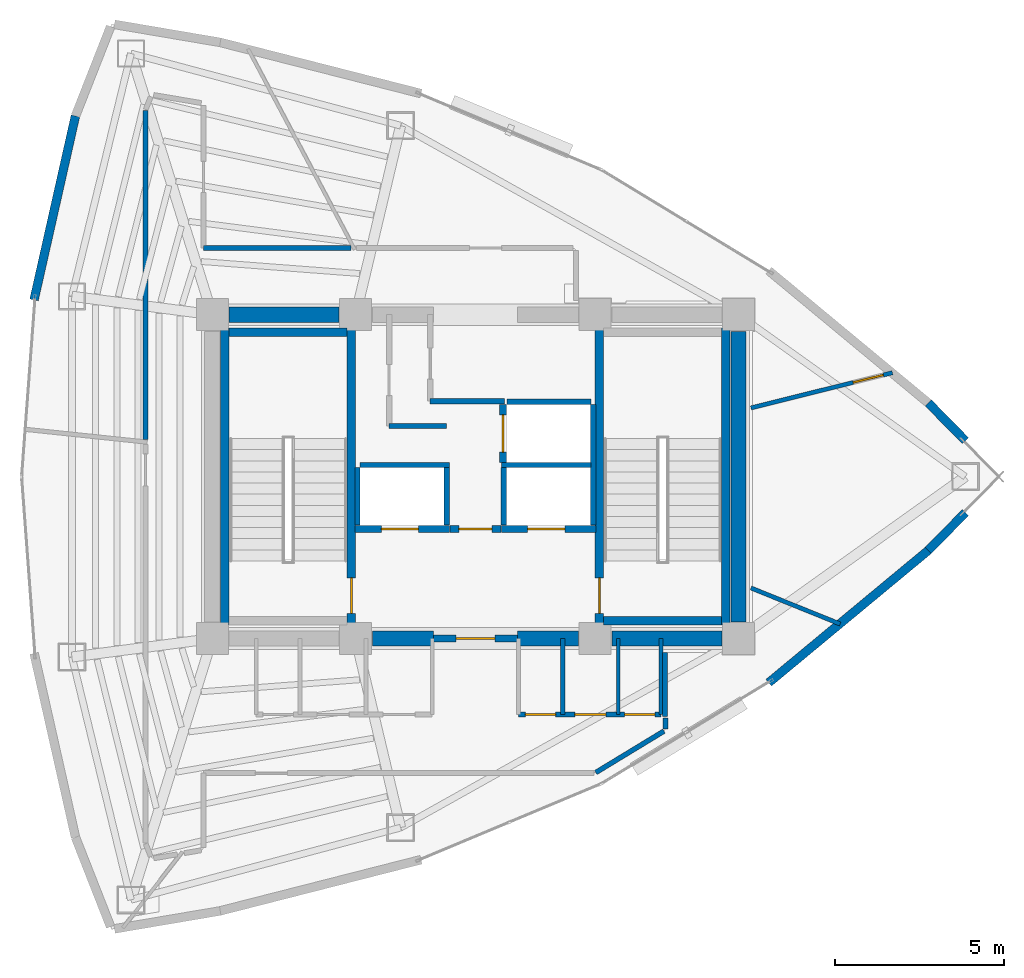
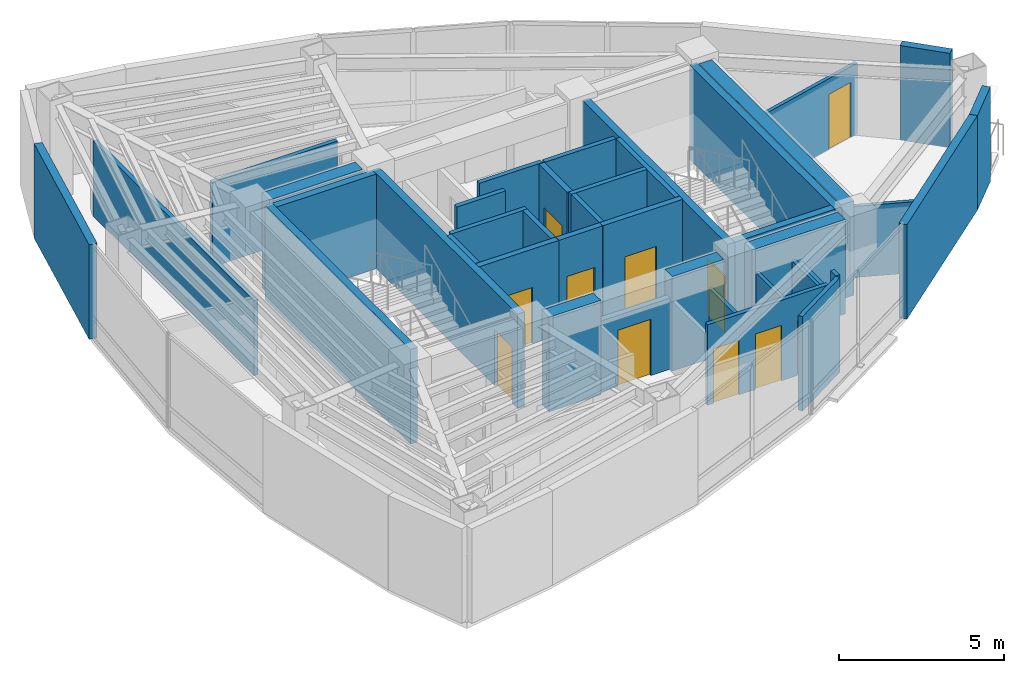
# One storey, part 12 of 15: 40 walls, 11 doors, 11 openings.
"""IFC4 building model written with IfcOpenShell, lengths in metres."""

import ifcopenshell
import ifcopenshell.guid

model = None  # the IFC model being written
_history = None  # IfcOwnerHistory: only IFC2X3 demands one
_inside = {}  # id of a spatial element -> (the spatial element, [elements in it])
_under = {}  # id of a project, library or spatial element -> (it, [spatial elements below it])
_declared = {}  # id of a project -> (the project, [libraries it declares])
_typed = {}  # id of a type object -> (the type object, [elements of that type])
_made_of = {}  # id of a material, layer set ... -> (it, [elements and type objects made of it])


def new_model(schema):
    """Start an empty IFC model of exactly this schema.

    Asked for "IFC4X3", IfcOpenShell would pick the latest addendum, in which some entities
    have other attributes; the version numbers below select the first issue.
    IFC2X3 requires an IfcOwnerHistory on every rooted entity: one is made here for all.
    """
    global model, _history
    if schema == "IFC4X3":
        model = ifcopenshell.file(schema_version=(4, 3, 0, 0))
    else:
        model = ifcopenshell.file(schema=schema)
    _inside.clear()
    _under.clear()
    _declared.clear()
    _typed.clear()
    _made_of.clear()
    _history = None
    if model.schema == "IFC2X3":
        org = make("IfcOrganization", Name="unknown")
        user = make(
            "IfcPersonAndOrganization",
            ThePerson=make("IfcPerson", FamilyName="unknown"),
            TheOrganization=org,
        )
        app = make(
            "IfcApplication",
            ApplicationDeveloper=org,
            Version="unknown",
            ApplicationFullName="unknown",
            ApplicationIdentifier="unknown",
        )
        _history = make(
            "IfcOwnerHistory",
            OwningUser=user,
            OwningApplication=app,
            ChangeAction="ADDED",
            CreationDate=0,
        )
    return model


def make(cls, **values):
    """One entity of the class cls with the attributes given. An attribute that is None is left unset."""
    return model.create_entity(
        cls, **{name: value for name, value in values.items() if value is not None}
    )


def rooted(cls, **values):
    """An entity with a GlobalId (a new one), such as an element, a storey or a relation."""
    return make(cls, GlobalId=ifcopenshell.guid.new(), OwnerHistory=_history, **values)


def si_unit(unit_type, name, prefix=None):
    """IfcSIUnit, for example si_unit("LENGTHUNIT", "METRE", prefix="MILLI")."""
    return make("IfcSIUnit", UnitType=unit_type, Prefix=prefix, Name=name)


def assignment(units):
    """IfcUnitAssignment: the units of a project."""
    return None if units is None else make("IfcUnitAssignment", Units=units)


def point(xyz):
    """IfcCartesianPoint."""
    return None if xyz is None else make("IfcCartesianPoint", Coordinates=xyz)


def direction(xyz):
    """IfcDirection."""
    return None if xyz is None else make("IfcDirection", DirectionRatios=xyz)


def frame(location, z_axis=None, x_axis=None):
    """IfcAxis2Placement3D, a coordinate frame: its origin and axes. An axis left out is left unset."""
    return make(
        "IfcAxis2Placement3D",
        Location=point(location),
        Axis=direction(z_axis),
        RefDirection=direction(x_axis),
    )


def frame_2d(location, x_axis=None):
    """IfcAxis2Placement2D, a coordinate frame in the plane: its origin and x axis."""
    return make(
        "IfcAxis2Placement2D", Location=point(location), RefDirection=direction(x_axis)
    )


def origin():
    """The frame at (0, 0, 0) with its axes left unset."""
    return frame((0.0, 0.0, 0.0))


def place(relative_to, where):
    """IfcLocalPlacement: puts the frame where relative to a parent placement (None: the world)."""
    return make(
        "IfcLocalPlacement", PlacementRelTo=relative_to, RelativePlacement=where
    )


def context(
    kind, dimensions, precision=None, world=None, true_north=None, identifier=None
):
    """IfcGeometricRepresentationContext, for example the 3D "Model" context."""
    return make(
        "IfcGeometricRepresentationContext",
        ContextIdentifier=identifier,
        ContextType=kind,
        CoordinateSpaceDimension=dimensions,
        Precision=precision,
        WorldCoordinateSystem=world,
        TrueNorth=true_north,
    )


def subcontext(parent, identifier, kind, view, scale=None):
    """IfcGeometricRepresentationSubContext, for example "Body" below "Model"."""
    return make(
        "IfcGeometricRepresentationSubContext",
        ContextIdentifier=identifier,
        ContextType=kind,
        ParentContext=parent,
        TargetScale=scale,
        TargetView=view,
    )


def project(units=None, contexts=None):
    """IfcProject with its units and contexts."""
    return rooted(
        "IfcProject",
        Name="project",
        RepresentationContexts=contexts,
        UnitsInContext=assignment(units),
    )


def spatial(cls, under=None, at=None, **own):
    """A site, building, storey or space (cls), placed at a placement, below another one or the project."""
    s = rooted(cls, ObjectPlacement=at, **own)
    if under is not None:
        _under.setdefault(under.id(), (under, []))[1].append(s)
    return s


def profile(cls, at=None, kind="AREA", **sizes):
    """A parametric profile (cls). Its sizes go by their IFC names, for example OverallWidth=200.0."""
    return make(cls, ProfileType=kind, Position=at, **sizes)


def rectangle(**sizes):
    """IfcRectangleProfileDef."""
    return profile("IfcRectangleProfileDef", **sizes)


def extrude(swept, where, along, depth):
    """IfcExtrudedAreaSolid: the profile swept, set in the frame where, extruded along a direction by depth."""
    return make(
        "IfcExtrudedAreaSolid",
        SweptArea=swept,
        Position=where,
        ExtrudedDirection=direction(along),
        Depth=depth,
    )


def shape(context_of_items, identifier, shape_type, items):
    """IfcShapeRepresentation: the items that make up one representation, for example the "Body"."""
    return make(
        "IfcShapeRepresentation",
        ContextOfItems=context_of_items,
        RepresentationIdentifier=identifier,
        RepresentationType=shape_type,
        Items=items,
    )


def material(Name=None, Category=None):
    """IfcMaterial."""
    return make("IfcMaterial", Name=Name, Category=Category)


def layer(
    of_material, thickness, ventilated=None, Name=None, Category=None, Priority=None
):
    """IfcMaterialLayer: one layer of a wall or slab, of a material (None: an air gap)."""
    return make(
        "IfcMaterialLayer",
        Material=of_material,
        LayerThickness=thickness,
        IsVentilated=ventilated,
        Name=Name,
        Category=Category,
        Priority=Priority,
    )


def layer_set(layers, Name=None):
    """IfcMaterialLayerSet."""
    return make("IfcMaterialLayerSet", MaterialLayers=layers, LayerSetName=Name)


def made_of(thing, what):
    """Note that an element or type object is made of a material, layer set ...; save() writes the relation."""
    if what is not None:
        _made_of.setdefault(what.id(), (what, []))[1].append(thing)
    return thing


def type_object(cls, material=None, **own):
    """A type object (cls), such as IfcWallType, which elements share."""
    return made_of(rooted(cls, **own), material)


def element(
    cls,
    number,
    at=None,
    inside=None,
    cuts=None,
    type_object=None,
    material=None,
    context=None,
    identifier="Body",
    shape_type=None,
    held_by="IfcProductDefinitionShape",
    body=None,
    shapes=None,
    **own,
):
    """One element of the class cls, such as IfcWall. Its Tag is "e" and its number.

    at: its placement. inside: the storey or other place that contains it. cuts: it is an
    opening in that element (IfcRelVoidsElement). A single representation is given by context,
    identifier, shape_type and body (its items); several are given by shapes. held_by: the class
    of the entity that holds the representations. save() writes the other relations.
    """
    e = rooted(cls, Tag="e%d" % number, ObjectPlacement=at, **own)
    if body is not None:
        shapes = [shape(context, identifier, shape_type, body)]
    if shapes is not None:
        e.Representation = make(held_by, Representations=shapes)
    if inside is not None:
        _inside.setdefault(inside.id(), (inside, []))[1].append(e)
    if cuts is not None:
        rooted(
            "IfcRelVoidsElement", RelatingBuildingElement=cuts, RelatedOpeningElement=e
        )
    if type_object is not None:
        _typed.setdefault(type_object.id(), (type_object, []))[1].append(e)
    return made_of(e, material)


def fill(opening, filler):
    """IfcRelFillsElement: the door or window that sits in an opening."""
    return rooted(
        "IfcRelFillsElement",
        RelatingOpeningElement=opening,
        RelatedBuildingElement=filler,
    )


def aggregate(whole, parts):
    """IfcRelAggregates: a whole, such as a stair, and the parts it consists of."""
    return rooted("IfcRelAggregates", RelatingObject=whole, RelatedObjects=parts)


def save(model, path):
    """Write the relations noted so far, then the file.

    IfcRelAggregates (storeys below a building ...), IfcRelContainedInSpatialStructure (elements
    in a storey), IfcRelDefinesByType, IfcRelAssociatesMaterial and IfcRelDeclares: one each for
    every whole, place, type object, material and project.
    """
    for whole, parts in _under.values():
        aggregate(whole, parts)
    for where, things in _inside.values():
        rooted(
            "IfcRelContainedInSpatialStructure",
            RelatedElements=things,
            RelatingStructure=where,
        )
    for kind, things in _typed.values():
        rooted("IfcRelDefinesByType", RelatedObjects=things, RelatingType=kind)
    for what, things in _made_of.values():
        rooted("IfcRelAssociatesMaterial", RelatedObjects=things, RelatingMaterial=what)
    for by, libraries in _declared.values():
        rooted("IfcRelDeclares", RelatingContext=by, RelatedDefinitions=libraries)
    model.write(path)


model = new_model("IFC4")

# Units and contexts
model_context = context("Model", 3, precision=1e-05, world=origin(), true_north=direction((0.0, 1.0)))
body_context = subcontext(model_context, "Body", "Model", "MODEL_VIEW")
ifc_project = project(units=[si_unit("LENGTHUNIT", "METRE"), si_unit("AREAUNIT", "SQUARE_METRE"), si_unit("VOLUMEUNIT", "CUBIC_METRE"), si_unit("PLANEANGLEUNIT", "RADIAN"), si_unit("MASSUNIT", "GRAM", prefix="KILO")], contexts=[model_context])

# Site, building, storey
site_placement = place(None, origin())
site = spatial("IfcSite", under=ifc_project, at=site_placement, CompositionType="ELEMENT")
building_placement = place(site_placement, origin())
building = spatial("IfcBuilding", under=site, at=building_placement, Name="Menara Vayukalpa", CompositionType="ELEMENT")
storey_placement = place(building_placement, frame((0.0, 0.0, 254.580078125)))
storey = spatial("IfcBuildingStorey", under=building, at=storey_placement, Name="L64", CompositionType="ELEMENT", Elevation=254.580078125)

# Walls
ifc_material_1 = material(Name="Concrete C50/60", Category="concrete")
ifc_layer_1 = layer(ifc_material_1, 0.449951171875)
ifc_layer_set_1 = layer_set([ifc_layer_1], Name="Concrete C50/60")
wall_type_1 = type_object("IfcWallType", Name="WAL-CW450", PredefinedType="SHEAR", material=ifc_layer_set_1)
wall_1_placement = place(storey_placement, frame((22.544921875, 17.199951171875, 0.0), z_axis=(0.0, 0.0, 1.0), x_axis=(1.0, 0.0, 0.0)))
element("IfcWall", 1, at=wall_1_placement, inside=storey, type_object=wall_type_1, Name="L64 Buttressed Core Shear Wall CWS2", PredefinedType="SHEAR", context=body_context, shape_type="SweptSolid", body=[
    extrude(rectangle(XDim=1.80517578125, YDim=0.449951171875, at=frame_2d((0.902587890625, 0.0))), origin(), (0.0, 0.0, 1.0), 3.5),
])
wall_2_placement = place(storey_placement, frame((26.85009765625, 17.199951171875, 0.0), z_axis=(0.0, 0.0, 1.0), x_axis=(1.0, 0.0, 0.0)))
element("IfcWall", 2, at=wall_2_placement, inside=storey, type_object=wall_type_1, Name="L64 Buttressed Core Shear Wall CWS3", PredefinedType="SHEAR", context=body_context, shape_type="SweptSolid", body=[
    extrude(rectangle(XDim=1.804931640625, YDim=0.449951171875, at=frame_2d((0.90234375, 0.0))), origin(), (0.0, 0.0, 1.0), 3.5),
])
for number, where, z_axis, x_axis, name in (
    (3, (29.64501953125, 17.199951171875, 0.0), (0.0, 0.0, 1.0), (1.0, 0.0, 0.0), "L64 Buttressed Core Shear Wall CWS4"),
    (4, (18.294921875, 26.800048828125, 0.0), (0.0, 0.0, 1.0), (1.0, 0.0, 0.0), "L64 Buttressed Core Shear Wall CWN1"),
):
    element("IfcWall", number, at=place(storey_placement, frame(where, z_axis=z_axis, x_axis=x_axis)), inside=storey, type_object=wall_type_1, Name=name, PredefinedType="SHEAR", context=body_context, shape_type="SweptSolid", body=[
        extrude(rectangle(XDim=3.260009765625, YDim=0.449951171875, at=frame_2d((1.6298828125, 0.0))), origin(), (0.0, 0.0, 1.0), 3.5),
    ])
wall_3_placement = place(storey_placement, frame((33.39990234375, 17.695068359375, 0.0), z_axis=(0.0, 0.0, 1.0), x_axis=(0.0, 1.0, 0.0)))
element("IfcWall", 5, at=wall_3_placement, inside=storey, type_object=wall_type_1, Name="L64 Buttressed Core Shear Wall CWE1", PredefinedType="SHEAR", context=body_context, shape_type="SweptSolid", body=[
    extrude(rectangle(XDim=8.60986328125, YDim=0.449951171875, at=frame_2d((4.304931640625, 0.0))), origin(), (0.0, 0.0, 1.0), 3.5),
])
ifc_material_2 = material(Name="Insulated Precast Concrete C40/50", Category="concrete")
ifc_layer_2 = layer(ifc_material_2, 0.260009765625)
ifc_layer_set_2 = layer_set([ifc_layer_2], Name="Insulated Precast Concrete C40/50")
wall_type_2 = type_object("IfcWallType", Name="WAL-EXT260", PredefinedType="PARTITIONING", material=ifc_layer_set_2)
for number, where, z_axis, x_axis, name in (
    (6, (40.1240234375, 20.932861328125, 0.0), (0.0, 0.0, 1.0), (-0.700470648387, -0.71368121087, 0.0), "L64 Perimeter Terracotta Pier Wall 01"),
    (7, (39.023681640625, 24.188232421875, 0.0), (0.0, 0.0, 1.0), (0.700470648387, -0.71368121087, 0.0), "L64 Perimeter Terracotta Pier Wall 02"),
):
    element("IfcWall", number, at=place(storey_placement, frame(where, z_axis=z_axis, x_axis=x_axis)), inside=storey, type_object=wall_type_2, Name=name, PredefinedType="PARTITIONING", context=body_context, shape_type="SweptSolid", body=[
        extrude(rectangle(XDim=1.57080078125, YDim=0.260009765625, at=frame_2d((0.785400390625, 0.0))), origin(), (0.0, 0.0, 1.0), 3.5),
    ])
wall_4_placement = place(storey_placement, frame((12.514892578125, 27.239501953125, 0.0), z_axis=(0.0, 0.0, 1.0), x_axis=(0.219500763731, 0.97561232809, 0.0)))
element("IfcWall", 8, at=wall_4_placement, inside=storey, type_object=wall_type_2, Name="L64 Perimeter Terracotta Pier Wall 09", PredefinedType="PARTITIONING", context=body_context, shape_type="SweptSolid", body=[
    extrude(rectangle(XDim=5.590087890625, YDim=0.260009765625, at=frame_2d((2.794921875, 0.0))), origin(), (0.0, 0.0, 1.0), 3.5),
])
wall_5_placement = place(storey_placement, frame((39.032470703125, 19.81982421875, 0.0), z_axis=(0.0, 0.0, 1.0), x_axis=(-0.769779830138, -0.638309496337, 0.0)))
element("IfcWall", 9, at=wall_5_placement, inside=storey, type_object=wall_type_2, Name="L64 Perimeter Terracotta Pier Wall 18", PredefinedType="PARTITIONING", context=body_context, shape_type="SweptSolid", body=[
    extrude(rectangle(XDim=6.154052734375, YDim=0.260009765625, at=frame_2d((3.0771484375, 0.0))), origin(), (0.0, 0.0, 1.0), 3.5),
])
ifc_material_3 = material(Name="Lightweight Concrete Blockwork C16/20", Category="masonry")
ifc_layer_3 = layer(ifc_material_3, 0.159912109375)
ifc_layer_set_3 = layer_set([ifc_layer_3], Name="Lightweight Concrete Blockwork C16/20")
wall_type_3 = type_object("IfcWallType", Name="WAL-FR150", PredefinedType="PARTITIONING", material=ifc_layer_set_3)
for number, where, z_axis, x_axis, name in (
    (10, (22.10498046875, 20.56005859375, 0.0), (0.0, 0.0, 1.0), (0.0, 1.0, 0.0), "L64 Interior Partition IW-L64-SHW-WW"),
    (11, (24.7548828125, 20.56005859375, 0.0), (0.0, 0.0, 1.0), (0.0, 1.0, 0.0), "L64 Interior Partition IW-L64-SHW-W1E"),
):
    element("IfcWall", number, at=place(storey_placement, frame(where, z_axis=z_axis, x_axis=x_axis)), inside=storey, type_object=wall_type_3, Name=name, PredefinedType="PARTITIONING", context=body_context, shape_type="SweptSolid", body=[
        extrude(rectangle(XDim=1.7099609375, YDim=0.159912109375, at=frame_2d((0.85498046875, 0.0))), origin(), (0.0, 0.0, 1.0), 3.5),
    ])
wall_6_placement = place(storey_placement, frame((22.179931640625, 22.344970703125, 0.0), z_axis=(0.0, 0.0, 1.0), x_axis=(1.0, 0.0, 0.0)))
element("IfcWall", 12, at=wall_6_placement, inside=storey, type_object=wall_type_3, Name="L64 Interior Partition IW-L64-SHM-W12", PredefinedType="PARTITIONING", context=body_context, shape_type="SweptSolid", body=[
    extrude(rectangle(XDim=2.650146484375, YDim=0.159912109375, at=frame_2d((1.3251953125, 0.0))), origin(), (0.0, 0.0, 1.0), 3.5),
])
wall_7_placement = place(storey_placement, frame((29.094970703125, 20.56005859375, 0.0), z_axis=(0.0, 0.0, 1.0), x_axis=(0.0, 1.0, 0.0)))
element("IfcWall", 13, at=wall_7_placement, inside=storey, type_object=wall_type_3, Name="L64 Interior Partition IW-L64-SHW-EE", PredefinedType="PARTITIONING", context=body_context, shape_type="SweptSolid", body=[
    extrude(rectangle(XDim=3.579833984375, YDim=0.159912109375, at=frame_2d((1.7900390625, 0.0))), origin(), (0.0, 0.0, 1.0), 3.5),
])
wall_8_placement = place(storey_placement, frame((26.445068359375, 20.56005859375, 0.0), z_axis=(0.0, 0.0, 1.0), x_axis=(0.0, 1.0, 0.0)))
element("IfcWall", 14, at=wall_8_placement, inside=storey, type_object=wall_type_3, Name="L64 Interior Partition IW-L64-SHW-E1W", PredefinedType="PARTITIONING", context=body_context, shape_type="SweptSolid", body=[
    extrude(rectangle(XDim=1.7099609375, YDim=0.159912109375, at=frame_2d((0.85498046875, 0.0))), origin(), (0.0, 0.0, 1.0), 3.5),
])
wall_9_placement = place(storey_placement, frame((26.3701171875, 22.344970703125, 0.0), z_axis=(0.0, 0.0, 1.0), x_axis=(1.0, 0.0, 0.0)))
element("IfcWall", 15, at=wall_9_placement, inside=storey, type_object=wall_type_3, Name="L64 Interior Partition IW-L64-SHM-E13", PredefinedType="PARTITIONING", context=body_context, shape_type="SweptSolid", body=[
    extrude(rectangle(XDim=2.64990234375, YDim=0.159912109375, at=frame_2d((1.324951171875, 0.0))), origin(), (0.0, 0.0, 1.0), 3.5),
])
wall_10_placement = place(storey_placement, frame((26.530029296875, 24.215087890625, 0.0), z_axis=(0.0, 0.0, 1.0), x_axis=(1.0, 0.0, 0.0)))
element("IfcWall", 16, at=wall_10_placement, inside=storey, type_object=wall_type_3, Name="L64 Interior Partition IW-L64-SHM-E32", PredefinedType="PARTITIONING", context=body_context, shape_type="SweptSolid", body=[
    extrude(rectangle(XDim=2.489990234375, YDim=0.159912109375, at=frame_2d((1.2451171875, 0.0))), origin(), (0.0, 0.0, 1.0), 3.5),
])
wall_11_placement = place(storey_placement, frame((23.0400390625, 23.5, 0.0), z_axis=(0.0, 0.0, 1.0), x_axis=(1.0, 0.0, 0.0)))
element("IfcWall", 17, at=wall_11_placement, inside=storey, type_object=wall_type_3, Name="L64 Interior Partition IW-L64-LV7WA", PredefinedType="PARTITIONING", context=body_context, shape_type="SweptSolid", body=[
    extrude(rectangle(XDim=1.699951171875, YDim=0.159912109375, at=frame_2d((0.85009765625, 0.0))), origin(), (0.0, 0.0, 1.0), 3.5),
])
wall_12_placement = place(storey_placement, frame((24.260009765625, 24.239990234375, 0.0), z_axis=(0.0, 0.0, 1.0), x_axis=(1.0, 0.0, 0.0)))
element("IfcWall", 18, at=wall_12_placement, inside=storey, type_object=wall_type_3, Name="L64 Interior Partition IW-L64-LV7EA", PredefinedType="PARTITIONING", context=body_context, shape_type="SweptSolid", body=[
    extrude(rectangle(XDim=2.199951171875, YDim=0.159912109375, at=frame_2d((1.10009765625, 0.0))), origin(), (0.0, 0.0, 1.0), 3.5),
])

# Wall, opening, door
ifc_material_4 = material(Name="Lightweight Concrete Blockwork C16/20", Category="masonry")
ifc_layer_4 = layer(ifc_material_4, 0.199951171875)
ifc_layer_set_4 = layer_set([ifc_layer_4], Name="Lightweight Concrete Blockwork C16/20")
wall_type_4 = type_object("IfcWallType", Name="WAL-FR200", PredefinedType="PARTITIONING", material=ifc_layer_set_4)
wall_13_placement = place(storey_placement, frame((24.35009765625, 17.199951171875, 0.0), z_axis=(0.0, 0.0, 1.0), x_axis=(1.0, 0.0, 0.0)))
wall_13 = element("IfcWall", 19, at=wall_13_placement, inside=storey, type_object=wall_type_4, Name="L64 Interior Partition IW-L64-FFLS", PredefinedType="PARTITIONING", context=body_context, shape_type="SweptSolid", body=[
    extrude(rectangle(XDim=2.5, YDim=0.199951171875, at=frame_2d((1.25, 0.0))), origin(), (0.0, 0.0, 1.0), 2.6298828125),
])
opening_1_placement = place(wall_13_placement, frame((0.679931640625, 0.0, 0.0)))
opening_1 = element("IfcOpeningElement", 20, at=opening_1_placement, cuts=wall_13, Name="Opening ID2", PredefinedType="OPENING", context=body_context, shape_type="SweptSolid", body=[
    extrude(rectangle(XDim=1.14990234375, YDim=2.080078125, at=frame_2d((0.574951171875, 1.0400390625))), frame((0.0, 0.10986328125, 0.0), z_axis=(0.0, -1.0, 0.0), x_axis=(1.0, 0.0, 0.0)), (0.0, 0.0, 1.0), 0.219970703125),
])
ifc_material_5 = material(Name="Fire-Rated Powder-Coated Steel Door", Category="steel")
door_type_1 = type_object("IfcDoorType", Name="DR-FD60W", OperationType="NOTDEFINED", PredefinedType="DOOR", material=ifc_material_5)
door_1_placement = place(opening_1_placement, origin())
door_1 = element("IfcDoor", 21, at=door_1_placement, inside=storey, type_object=door_type_1, Name="L64 Interior Door DR-L64-FFLS", OperationType="SINGLE_SWING_LEFT", OverallHeight=2.080078125, OverallWidth=1.14990234375, PredefinedType="DOOR", context=body_context, shape_type="SweptSolid", body=[
    extrude(rectangle(XDim=1.14990234375, YDim=2.080078125, at=frame_2d((0.574951171875, 1.0400390625))), frame((0.0, 0.02490234375, 0.0), z_axis=(0.0, -1.0, 0.0), x_axis=(1.0, 0.0, 0.0)), (0.0, 0.0, 1.0), 0.050048828125),
])
fill(opening_1, door_1)

wall_14_placement = place(storey_placement, frame((24.840087890625, 20.449951171875, 0.0), z_axis=(0.0, 0.0, 1.0), x_axis=(1.0, 0.0, 0.0)))
wall_14 = element("IfcWall", 22, at=wall_14_placement, inside=storey, type_object=wall_type_4, Name="L64 Interior Partition IW-L64-FFLN", PredefinedType="PARTITIONING", context=body_context, shape_type="SweptSolid", body=[
    extrude(rectangle(XDim=1.52001953125, YDim=0.199951171875, at=frame_2d((0.760009765625, 0.0))), origin(), (0.0, 0.0, 1.0), 3.5),
])
opening_2_placement = place(wall_14_placement, frame((0.27001953125, 0.0, 0.0)))
opening_2 = element("IfcOpeningElement", 23, at=opening_2_placement, cuts=wall_14, Name="Opening ID3", PredefinedType="OPENING", context=body_context, shape_type="SweptSolid", body=[
    extrude(rectangle(XDim=0.97998046875, YDim=2.06005859375, at=frame_2d((0.489990234375, 1.030029296875))), frame((0.0, 0.10986328125, 0.0), z_axis=(0.0, -1.0, 0.0), x_axis=(1.0, 0.0, 0.0)), (0.0, 0.0, 1.0), 0.219970703125),
])
ifc_material_6 = material(Name="Fire-Rated Powder-Coated Steel Door", Category="steel")
door_type_2 = type_object("IfcDoorType", Name="DR-FD60", OperationType="NOTDEFINED", PredefinedType="DOOR", material=ifc_material_6)
door_2_placement = place(opening_2_placement, origin())
door_2 = element("IfcDoor", 24, at=door_2_placement, inside=storey, type_object=door_type_2, Name="L64 Interior Door DR-L64-FFLN", OperationType="SINGLE_SWING_RIGHT", OverallHeight=2.06005859375, OverallWidth=0.97998046875, PredefinedType="DOOR", context=body_context, shape_type="SweptSolid", body=[
    extrude(rectangle(XDim=0.97998046875, YDim=2.06005859375, at=frame_2d((0.489990234375, 1.030029296875))), frame((0.0, 0.02490234375, 0.0), z_axis=(0.0, -1.0, 0.0), x_axis=(1.0, 0.0, 0.0)), (0.0, 0.0, 1.0), 0.050048828125),
])
fill(opening_2, door_2)

wall_15_placement = place(storey_placement, frame((22.030029296875, 20.449951171875, 0.0), z_axis=(0.0, 0.0, 1.0), x_axis=(1.0, 0.0, 0.0)))
wall_15 = element("IfcWall", 25, at=wall_15_placement, inside=storey, type_object=wall_type_4, Name="L64 Interior Partition IW-L64-SH-W1", PredefinedType="PARTITIONING", context=body_context, shape_type="SweptSolid", body=[
    extrude(rectangle(XDim=2.800048828125, YDim=0.199951171875, at=frame_2d((1.39990234375, 0.0))), origin(), (0.0, 0.0, 1.0), 3.5),
])
opening_3_placement = place(wall_15_placement, frame((0.780029296875, 0.0, 0.0)))
opening_3 = element("IfcOpeningElement", 26, at=opening_3_placement, cuts=wall_15, Name="Opening LD1", PredefinedType="OPENING", context=body_context, shape_type="SweptSolid", body=[
    extrude(rectangle(XDim=1.10009765625, YDim=2.080078125, at=frame_2d((0.550048828125, 1.0400390625))), frame((0.0, 0.10986328125, 0.0), z_axis=(0.0, -1.0, 0.0), x_axis=(1.0, 0.0, 0.0)), (0.0, 0.0, 1.0), 0.219970703125),
])
ifc_material_7 = material(Name="Brushed Stainless Steel 316 Lift Door", Category="steel")
door_type_3 = type_object("IfcDoorType", Name="DR-LD110", OperationType="NOTDEFINED", PredefinedType="DOOR", material=ifc_material_7)
door_3_placement = place(opening_3_placement, origin())
door_3 = element("IfcDoor", 27, at=door_3_placement, inside=storey, type_object=door_type_3, Name="L64 Interior Door DR-L64-LD-W1", OperationType="DOUBLE_DOOR_SLIDING", OverallHeight=2.080078125, OverallWidth=1.10009765625, PredefinedType="DOOR", context=body_context, shape_type="SweptSolid", body=[
    extrude(rectangle(XDim=1.10009765625, YDim=2.080078125, at=frame_2d((0.550048828125, 1.0400390625))), frame((0.0, 0.02490234375, 0.0), z_axis=(0.0, -1.0, 0.0), x_axis=(1.0, 0.0, 0.0)), (0.0, 0.0, 1.0), 0.050048828125),
])
fill(opening_3, door_3)

wall_16_placement = place(storey_placement, frame((26.3701171875, 20.449951171875, 0.0), z_axis=(0.0, 0.0, 1.0), x_axis=(1.0, 0.0, 0.0)))
wall_16 = element("IfcWall", 28, at=wall_16_placement, inside=storey, type_object=wall_type_4, Name="L64 Interior Partition IW-L64-SH-E1", PredefinedType="PARTITIONING", context=body_context, shape_type="SweptSolid", body=[
    extrude(rectangle(XDim=2.7998046875, YDim=0.199951171875, at=frame_2d((1.39990234375, 0.0))), origin(), (0.0, 0.0, 1.0), 3.5),
])
opening_4_placement = place(wall_16_placement, frame((0.780029296875, 0.0, 0.0)))
opening_4 = element("IfcOpeningElement", 29, at=opening_4_placement, cuts=wall_16, Name="Opening LD1", PredefinedType="OPENING", context=body_context, shape_type="SweptSolid", body=[
    extrude(rectangle(XDim=1.10009765625, YDim=2.080078125, at=frame_2d((0.550048828125, 1.0400390625))), frame((0.0, 0.10986328125, 0.0), z_axis=(0.0, -1.0, 0.0), x_axis=(1.0, 0.0, 0.0)), (0.0, 0.0, 1.0), 0.219970703125),
])
door_4_placement = place(opening_4_placement, origin())
door_4 = element("IfcDoor", 30, at=door_4_placement, inside=storey, type_object=door_type_3, Name="L64 Interior Door DR-L64-LD-E1", OperationType="DOUBLE_DOOR_SLIDING", OverallHeight=2.080078125, OverallWidth=1.10009765625, PredefinedType="DOOR", context=body_context, shape_type="SweptSolid", body=[
    extrude(rectangle(XDim=1.10009765625, YDim=2.080078125, at=frame_2d((0.550048828125, 1.0400390625))), frame((0.0, 0.02490234375, 0.0), z_axis=(0.0, -1.0, 0.0), x_axis=(1.0, 0.0, 0.0)), (0.0, 0.0, 1.0), 0.050048828125),
])
fill(opening_4, door_4)

wall_17_placement = place(storey_placement, frame((26.419921875, 22.419921875, 0.0), z_axis=(0.0, 0.0, 1.0), x_axis=(0.0, 1.0, 0.0)))
wall_17 = element("IfcWall", 31, at=wall_17_placement, inside=storey, type_object=wall_type_4, Name="L64 Interior Partition IW-L64-SH-E3", PredefinedType="PARTITIONING", context=body_context, shape_type="SweptSolid", body=[
    extrude(rectangle(XDim=1.719970703125, YDim=0.199951171875, at=frame_2d((0.85986328125, 0.0))), origin(), (0.0, 0.0, 1.0), 3.5),
])
opening_5_placement = place(wall_17_placement, frame((0.31005859375, 0.0, 0.0)))
opening_5 = element("IfcOpeningElement", 32, at=opening_5_placement, cuts=wall_17, Name="Opening LD1", PredefinedType="OPENING", context=body_context, shape_type="SweptSolid", body=[
    extrude(rectangle(XDim=1.10009765625, YDim=2.080078125, at=frame_2d((0.550048828125, 1.0400390625))), frame((0.0, 0.10986328125, 0.0), z_axis=(0.0, -1.0, 0.0), x_axis=(1.0, 0.0, 0.0)), (0.0, 0.0, 1.0), 0.219970703125),
])
door_5_placement = place(opening_5_placement, origin())
door_5 = element("IfcDoor", 33, at=door_5_placement, inside=storey, type_object=door_type_3, Name="L64 Interior Door DR-L64-LD-E3", OperationType="DOUBLE_DOOR_SLIDING", OverallHeight=2.080078125, OverallWidth=1.10009765625, PredefinedType="DOOR", context=body_context, shape_type="SweptSolid", body=[
    extrude(rectangle(XDim=1.10009765625, YDim=2.080078125, at=frame_2d((0.550048828125, 1.0400390625))), frame((0.0, 0.02490234375, 0.0), z_axis=(0.0, -1.0, 0.0), x_axis=(1.0, 0.0, 0.0)), (0.0, 0.0, 1.0), 0.050048828125),
])
fill(opening_5, door_5)

# Walls
ifc_material_8 = material(Name="Acoustic Mineral Stud Partition", Category="masonry")
ifc_layer_5 = layer(ifc_material_8, 0.110107421875)
ifc_layer_set_5 = layer_set([ifc_layer_5], Name="Acoustic Mineral Stud Partition")
wall_type_5 = type_object("IfcWallType", Name="WAL-PT110", PredefinedType="PARTITIONING", material=ifc_layer_set_5)
wall_18_placement = place(storey_placement, frame((29.830078125, 14.949951171875, 0.0), z_axis=(0.0, 0.0, 1.0), x_axis=(0.0, 1.0, 0.0)))
element("IfcWall", 34, at=wall_18_placement, inside=storey, type_object=wall_type_5, Name="L64 Interior Partition IW-L64-SVCD-07", PredefinedType="PARTITIONING", context=body_context, shape_type="SweptSolid", body=[
    extrude(rectangle(XDim=2.25, YDim=0.110107421875, at=frame_2d((1.125, 0.0))), origin(), (0.0, 0.0, 1.0), 2.6298828125),
])
ifc_material_9 = material(Name="Gypsum Drywall Steel Stud Assembly", Category="steel")
ifc_layer_6 = layer(ifc_material_9, 0.125)
ifc_layer_set_6 = layer_set([ifc_layer_6], Name="Gypsum Drywall Steel Stud Assembly")
wall_type_6 = type_object("IfcWallType", Name="WAL-PT125", PredefinedType="PARTITIONING", material=ifc_layer_set_6)
for number, where, z_axis, x_axis, name in (
    (35, (28.18994140625, 14.949951171875, 0.0), (0.0, 0.0, 1.0), (0.0, 1.0, 0.0), "L64 Interior Partition IW-L64-SVCD-06"),
    (36, (31.10009765625, 14.949951171875, 0.0), (0.0, 0.0, 1.0), (0.0, 1.0, 0.0), "L64 Interior Partition IW-L64-SVCD-08"),
):
    element("IfcWall", number, at=place(storey_placement, frame(where, z_axis=z_axis, x_axis=x_axis)), inside=storey, type_object=wall_type_6, Name=name, PredefinedType="PARTITIONING", context=body_context, shape_type="SweptSolid", body=[
        extrude(rectangle(XDim=2.25, YDim=0.125, at=frame_2d((1.125, 0.0))), origin(), (0.0, 0.0, 1.0), 2.6298828125),
    ])

# Wall, opening, door
wall_19_placement = place(storey_placement, frame((33.77001953125, 24.037109375, 0.0), z_axis=(0.0, 0.0, 1.0), x_axis=(0.970305215228, 0.241883834312, 0.0)))
wall_19 = element("IfcWall", 37, at=wall_19_placement, inside=storey, type_object=wall_type_6, Name="L64 Interior Partition IW-L64-RDIV01", PredefinedType="PARTITIONING", context=body_context, shape_type="SweptSolid", body=[
    extrude(rectangle(XDim=4.31884765625, YDim=0.125, at=frame_2d((2.159423828125, 0.0))), origin(), (0.0, 0.0, 1.0), 2.6298828125),
])
opening_6_placement = place(wall_19_placement, frame((3.118896484375, 0.0, 0.0)))
opening_6 = element("IfcOpeningElement", 38, at=opening_6_placement, cuts=wall_19, Name="Opening ID6", PredefinedType="OPENING", context=body_context, shape_type="SweptSolid", body=[
    extrude(rectangle(XDim=0.919921875, YDim=2.050048828125, at=frame_2d((0.4599609375, 1.02490234375))), frame((0.0, 0.072509765625, 0.0), z_axis=(0.0, -1.0, 0.0), x_axis=(1.0, 0.0, 0.0)), (0.0, 0.0, 1.0), 0.14501953125),
])
ifc_material_10 = material(Name="Acoustic Hardwood Veneer Timber Door", Category="wood")
door_type_4 = type_object("IfcDoorType", Name="DR-INT92", OperationType="NOTDEFINED", PredefinedType="DOOR", material=ifc_material_10)
door_6_placement = place(opening_6_placement, origin())
door_6 = element("IfcDoor", 39, at=door_6_placement, inside=storey, type_object=door_type_4, Name="L64 Interior Door DR-L64-STE04", OperationType="SINGLE_SWING_LEFT", OverallHeight=2.050048828125, OverallWidth=0.919921875, PredefinedType="DOOR", context=body_context, shape_type="SweptSolid", body=[
    extrude(rectangle(XDim=0.919921875, YDim=2.050048828125, at=frame_2d((0.4599609375, 1.02490234375))), frame((0.0, 0.02490234375, 0.0), z_axis=(0.0, -1.0, 0.0), x_axis=(1.0, 0.0, 0.0)), (0.0, 0.0, 1.0), 0.050048828125),
])
fill(opening_6, door_6)

# Wall
wall_20_placement = place(storey_placement, frame((33.77001953125, 18.69921875, 0.0), z_axis=(0.0, 0.0, 1.0), x_axis=(0.92715823081, -0.374670008197, 0.0)))
element("IfcWall", 40, at=wall_20_placement, inside=storey, type_object=wall_type_6, Name="L64 Interior Partition IW-L64-RDIV05", PredefinedType="PARTITIONING", context=body_context, shape_type="SweptSolid", body=[
    extrude(rectangle(XDim=2.84765625, YDim=0.125, at=frame_2d((1.423828125, 0.0))), origin(), (0.0, 0.0, 1.0), 2.6298828125),
])

# Wall, openings, doors
ifc_material_11 = material(Name="Gypsum Drywall Acoustic Stud Assembly", Category="masonry")
ifc_layer_7 = layer(ifc_material_11, 0.14501953125)
ifc_layer_set_7 = layer_set([ifc_layer_7], Name="Gypsum Drywall Acoustic Stud Assembly")
wall_type_7 = type_object("IfcWallType", Name="WAL-PT150", PredefinedType="PARTITIONING", material=ifc_layer_set_7)
wall_21_placement = place(storey_placement, frame((26.8798828125, 14.949951171875, 0.0), z_axis=(0.0, 0.0, 1.0), x_axis=(1.0, 0.0, 0.0)))
wall_21 = element("IfcWall", 41, at=wall_21_placement, inside=storey, type_object=wall_type_7, Name="L64 Interior Partition IW-L64-SVCS-E", PredefinedType="PARTITIONING", context=body_context, shape_type="SweptSolid", body=[
    extrude(rectangle(XDim=4.22021484375, YDim=0.14501953125, at=frame_2d((2.110107421875, 0.0))), origin(), (0.0, 0.0, 1.0), 2.97998046875),
])
opening_7_placement = place(wall_21_placement, frame((0.199951171875, 0.0, 0.0)))
opening_7 = element("IfcOpeningElement", 42, at=opening_7_placement, cuts=wall_21, Name="Opening ID7", PredefinedType="OPENING", context=body_context, shape_type="SweptSolid", body=[
    extrude(rectangle(XDim=0.89990234375, YDim=2.02001953125, at=frame_2d((0.449951171875, 1.010009765625))), frame((0.0, 0.08251953125, 0.0), z_axis=(0.0, -1.0, 0.0), x_axis=(1.0, 0.0, 0.0)), (0.0, 0.0, 1.0), 0.1650390625),
])
opening_8_placement = place(wall_21_placement, frame((1.669921875, 0.0, 0.0)))
opening_8 = element("IfcOpeningElement", 43, at=opening_8_placement, cuts=wall_21, Name="Opening ID6", PredefinedType="OPENING", context=body_context, shape_type="SweptSolid", body=[
    extrude(rectangle(XDim=0.919921875, YDim=2.050048828125, at=frame_2d((0.4599609375, 1.02490234375))), frame((0.0, 0.08251953125, 0.0), z_axis=(0.0, -1.0, 0.0), x_axis=(1.0, 0.0, 0.0)), (0.0, 0.0, 1.0), 0.1650390625),
])
opening_9_placement = place(wall_21_placement, frame((3.139892578125, 0.0, 0.0)))
opening_9 = element("IfcOpeningElement", 44, at=opening_9_placement, cuts=wall_21, Name="Opening ID7", PredefinedType="OPENING", context=body_context, shape_type="SweptSolid", body=[
    extrude(rectangle(XDim=0.89990234375, YDim=2.02001953125, at=frame_2d((0.449951171875, 1.010009765625))), frame((0.0, 0.08251953125, 0.0), z_axis=(0.0, -1.0, 0.0), x_axis=(1.0, 0.0, 0.0)), (0.0, 0.0, 1.0), 0.1650390625),
])
door_7_placement = place(opening_8_placement, origin())
door_7 = element("IfcDoor", 45, at=door_7_placement, inside=storey, type_object=door_type_4, Name="L64 Interior Door DR-L64-KSV2", OperationType="SINGLE_SWING_LEFT", OverallHeight=2.050048828125, OverallWidth=0.919921875, PredefinedType="DOOR", context=body_context, shape_type="SweptSolid", body=[
    extrude(rectangle(XDim=0.919921875, YDim=2.050048828125, at=frame_2d((0.4599609375, 1.02490234375))), frame((0.0, 0.02490234375, 0.0), z_axis=(0.0, -1.0, 0.0), x_axis=(1.0, 0.0, 0.0)), (0.0, 0.0, 1.0), 0.050048828125),
])
fill(opening_8, door_7)
ifc_material_12 = material(Name="Powder-Coated Steel Riser Access Door", Category="steel")
door_type_5 = type_object("IfcDoorType", Name="DR-RISER", OperationType="NOTDEFINED", PredefinedType="DOOR", material=ifc_material_12)
door_8_placement = place(opening_7_placement, origin())
door_8 = element("IfcDoor", 46, at=door_8_placement, inside=storey, type_object=door_type_5, Name="L64 Interior Door DR-L64-KSV1", OperationType="SINGLE_SWING_RIGHT", OverallHeight=2.02001953125, OverallWidth=0.89990234375, PredefinedType="DOOR", context=body_context, shape_type="SweptSolid", body=[
    extrude(rectangle(XDim=0.89990234375, YDim=2.02001953125, at=frame_2d((0.449951171875, 1.010009765625))), frame((0.0, 0.02490234375, 0.0), z_axis=(0.0, -1.0, 0.0), x_axis=(1.0, 0.0, 0.0)), (0.0, 0.0, 1.0), 0.050048828125),
])
fill(opening_7, door_8)
door_9_placement = place(opening_9_placement, origin())
door_9 = element("IfcDoor", 47, at=door_9_placement, inside=storey, type_object=door_type_5, Name="L64 Interior Door DR-L64-SMD", OperationType="SINGLE_SWING_RIGHT", OverallHeight=2.02001953125, OverallWidth=0.89990234375, PredefinedType="DOOR", context=body_context, shape_type="SweptSolid", body=[
    extrude(rectangle(XDim=0.89990234375, YDim=2.02001953125, at=frame_2d((0.449951171875, 1.010009765625))), frame((0.0, 0.02490234375, 0.0), z_axis=(0.0, -1.0, 0.0), x_axis=(1.0, 0.0, 0.0)), (0.0, 0.0, 1.0), 0.050048828125),
])
fill(opening_9, door_9)

# Walls
wall_22_placement = place(storey_placement, frame((29.167724609375, 13.228515625, 0.0), z_axis=(0.0, 0.0, 1.0), x_axis=(0.854678044033, 0.519158396876, 0.0)))
element("IfcWall", 48, at=wall_22_placement, inside=storey, type_object=wall_type_7, Name="L64 Interior Partition IW-L64-CRM03-4", PredefinedType="PARTITIONING", context=body_context, shape_type="SweptSolid", body=[
    extrude(rectangle(XDim=2.36767578125, YDim=0.14501953125, at=frame_2d((1.183837890625, 0.0))), origin(), (0.0, 0.0, 1.0), 3.5),
])
wall_23_placement = place(storey_placement, frame((31.22998046875, 14.526123046875, 0.0), z_axis=(0.0, 0.0, 1.0), x_axis=(0.0, 1.0, 0.0)))
element("IfcWall", 49, at=wall_23_placement, inside=storey, type_object=wall_type_7, Name="L64 Interior Partition IW-L64-CRM03-5", PredefinedType="PARTITIONING", context=body_context, shape_type="SweptSolid", body=[
    extrude(rectangle(XDim=0.323974609375, YDim=0.14501953125, at=frame_2d((0.162109375, 0.0))), origin(), (0.0, 0.0, 1.0), 3.5),
])
wall_24_placement = place(storey_placement, frame((31.219970703125, 14.888671875, 0.0), z_axis=(0.0, 0.0, 1.0), x_axis=(0.0, 1.0, 0.0)))
element("IfcWall", 50, at=wall_24_placement, inside=storey, type_object=wall_type_7, Name="L64 Interior Partition IW-L64-CRM03-6", PredefinedType="PARTITIONING", context=body_context, shape_type="SweptSolid", body=[
    extrude(rectangle(XDim=1.891357421875, YDim=0.14501953125, at=frame_2d((0.94580078125, 0.0))), origin(), (0.0, 0.0, 1.0), 2.6298828125),
])
wall_25_placement = place(storey_placement, frame((21.915771484375, 28.780029296875, 0.0), z_axis=(0.0, 0.0, 1.0), x_axis=(-1.0, 0.0, 0.0)))
element("IfcWall", 51, at=wall_25_placement, inside=storey, type_object=wall_type_7, Name="L64 Interior Partition IW-L64-CRM06-1", PredefinedType="PARTITIONING", context=body_context, shape_type="SweptSolid", body=[
    extrude(rectangle(XDim=4.375732421875, YDim=0.14501953125, at=frame_2d((2.18798828125, 0.0))), origin(), (0.0, 0.0, 1.0), 3.1298828125),
])
wall_26_placement = place(storey_placement, frame((15.820068359375, 32.853759765625, 0.0), z_axis=(0.0, 0.0, 1.0), x_axis=(0.0, -1.0, 0.0)))
element("IfcWall", 52, at=wall_26_placement, inside=storey, type_object=wall_type_7, Name="L64 Interior Partition IW-L64-CRM06-5", PredefinedType="PARTITIONING", context=body_context, shape_type="SweptSolid", body=[
    extrude(rectangle(XDim=9.75537109375, YDim=0.14501953125, at=frame_2d((4.877685546875, 0.0))), origin(), (0.0, 0.0, 1.0), 2.780029296875),
])
ifc_material_13 = material(Name="Concrete C50/60", Category="concrete")
ifc_layer_8 = layer(ifc_material_13, 0.25)
ifc_layer_set_8 = layer_set([ifc_layer_8], Name="Concrete C50/60")
wall_type_8 = type_object("IfcWallType", Name="WAL-SW250", PredefinedType="SHEAR", material=ifc_layer_set_8)
wall_27_placement = place(storey_placement, frame((18.175048828125, 17.60009765625, 0.0), z_axis=(0.0, 0.0, 1.0), x_axis=(0.0, 1.0, 0.0)))
element("IfcWall", 53, at=wall_27_placement, inside=storey, type_object=wall_type_8, Name="L64 ST1 Structural Stair Shaft Wall W", PredefinedType="SHEAR", context=body_context, shape_type="SweptSolid", body=[
    extrude(rectangle(XDim=8.7998046875, YDim=0.25, at=frame_2d((4.39990234375, 0.0))), origin(), (0.0, 0.0, 1.0), 3.5),
])

# Wall, opening, door
wall_28_placement = place(storey_placement, frame((21.925048828125, 17.60009765625, 0.0), z_axis=(0.0, 0.0, 1.0), x_axis=(0.0, 1.0, 0.0)))
wall_28 = element("IfcWall", 54, at=wall_28_placement, inside=storey, type_object=wall_type_8, Name="L64 ST1 Structural Stair Shaft Wall E", PredefinedType="SHEAR", context=body_context, shape_type="SweptSolid", body=[
    extrude(rectangle(XDim=8.7998046875, YDim=0.25, at=frame_2d((4.39990234375, 0.0))), origin(), (0.0, 0.0, 1.0), 3.5),
])
opening_10_placement = place(wall_28_placement, frame((0.35009765625, 0.0, 0.0)))
opening_10 = element("IfcOpeningElement", 55, at=opening_10_placement, cuts=wall_28, Name="Opening ID1", PredefinedType="OPENING", context=body_context, shape_type="SweptSolid", body=[
    extrude(rectangle(XDim=1.050048828125, YDim=2.080078125, at=frame_2d((0.52490234375, 1.0400390625))), frame((0.0, 0.135009765625, 0.0), z_axis=(0.0, -1.0, 0.0), x_axis=(1.0, 0.0, 0.0)), (0.0, 0.0, 1.0), 0.27001953125),
])
ifc_material_14 = material(Name="Fire-Rated Powder-Coated Steel Door", Category="steel")
door_type_6 = type_object("IfcDoorType", Name="DR-FD120", OperationType="NOTDEFINED", PredefinedType="DOOR", material=ifc_material_14)
door_10_placement = place(opening_10_placement, origin())
door_10 = element("IfcDoor", 56, at=door_10_placement, inside=storey, type_object=door_type_6, Name="L64 Stair Exit Door DR-L64-ST1", OperationType="SINGLE_SWING_LEFT", OverallHeight=2.080078125, OverallWidth=1.050048828125, PredefinedType="DOOR", context=body_context, shape_type="SweptSolid", body=[
    extrude(rectangle(XDim=1.050048828125, YDim=2.080078125, at=frame_2d((0.52490234375, 1.0400390625))), frame((0.0, 0.02490234375, 0.0), z_axis=(0.0, -1.0, 0.0), x_axis=(1.0, 0.0, 0.0)), (0.0, 0.0, 1.0), 0.050048828125),
])
fill(opening_10, door_10)

# Wall
wall_29_placement = place(storey_placement, frame((18.300048828125, 26.27490234375, 0.0), z_axis=(0.0, 0.0, 1.0), x_axis=(1.0, 0.0, 0.0)))
element("IfcWall", 57, at=wall_29_placement, inside=storey, type_object=wall_type_8, Name="L64 ST1 Structural Stair Shaft Wall N", PredefinedType="SHEAR", context=body_context, shape_type="SweptSolid", body=[
    extrude(rectangle(XDim=3.5, YDim=0.25, at=frame_2d((1.75, 0.0))), origin(), (0.0, 0.0, 1.0), 3.5),
])

# Wall, opening, door
wall_30_placement = place(storey_placement, frame((29.27490234375, 17.60009765625, 0.0), z_axis=(0.0, 0.0, 1.0), x_axis=(0.0, 1.0, 0.0)))
wall_30 = element("IfcWall", 58, at=wall_30_placement, inside=storey, type_object=wall_type_8, Name="L64 ST2 Structural Stair Shaft Wall W", PredefinedType="SHEAR", context=body_context, shape_type="SweptSolid", body=[
    extrude(rectangle(XDim=8.7998046875, YDim=0.25, at=frame_2d((4.39990234375, 0.0))), origin(), (0.0, 0.0, 1.0), 3.5),
])
opening_11_placement = place(wall_30_placement, frame((0.35009765625, 0.0, 0.0)))
opening_11 = element("IfcOpeningElement", 59, at=opening_11_placement, cuts=wall_30, Name="Opening ID1", PredefinedType="OPENING", context=body_context, shape_type="SweptSolid", body=[
    extrude(rectangle(XDim=1.050048828125, YDim=2.080078125, at=frame_2d((0.52490234375, 1.0400390625))), frame((0.0, 0.135009765625, 0.0), z_axis=(0.0, -1.0, 0.0), x_axis=(1.0, 0.0, 0.0)), (0.0, 0.0, 1.0), 0.27001953125),
])
door_11_placement = place(opening_11_placement, origin())
door_11 = element("IfcDoor", 60, at=door_11_placement, inside=storey, type_object=door_type_6, Name="L64 Stair Exit Door DR-L64-ST2", OperationType="SINGLE_SWING_RIGHT", OverallHeight=2.080078125, OverallWidth=1.050048828125, PredefinedType="DOOR", context=body_context, shape_type="SweptSolid", body=[
    extrude(rectangle(XDim=1.050048828125, YDim=2.080078125, at=frame_2d((0.52490234375, 1.0400390625))), frame((0.0, 0.02490234375, 0.0), z_axis=(0.0, -1.0, 0.0), x_axis=(1.0, 0.0, 0.0)), (0.0, 0.0, 1.0), 0.050048828125),
])
fill(opening_11, door_11)

# Walls
wall_31_placement = place(storey_placement, frame((33.02490234375, 17.60009765625, 0.0), z_axis=(0.0, 0.0, 1.0), x_axis=(0.0, 1.0, 0.0)))
element("IfcWall", 61, at=wall_31_placement, inside=storey, type_object=wall_type_8, Name="L64 ST2 Structural Stair Shaft Wall E", PredefinedType="SHEAR", context=body_context, shape_type="SweptSolid", body=[
    extrude(rectangle(XDim=8.7998046875, YDim=0.25, at=frame_2d((4.39990234375, 0.0))), origin(), (0.0, 0.0, 1.0), 3.5),
])
wall_32_placement = place(storey_placement, frame((29.39990234375, 17.72509765625, 0.0), z_axis=(0.0, 0.0, 1.0), x_axis=(1.0, 0.0, 0.0)))
element("IfcWall", 62, at=wall_32_placement, inside=storey, type_object=wall_type_8, Name="L64 ST2 Structural Stair Shaft Wall S", PredefinedType="SHEAR", context=body_context, shape_type="SweptSolid", body=[
    extrude(rectangle(XDim=3.5, YDim=0.25, at=frame_2d((1.75, 0.0))), origin(), (0.0, 0.0, 1.0), 3.5),
])

save(model, "model.ifc")
